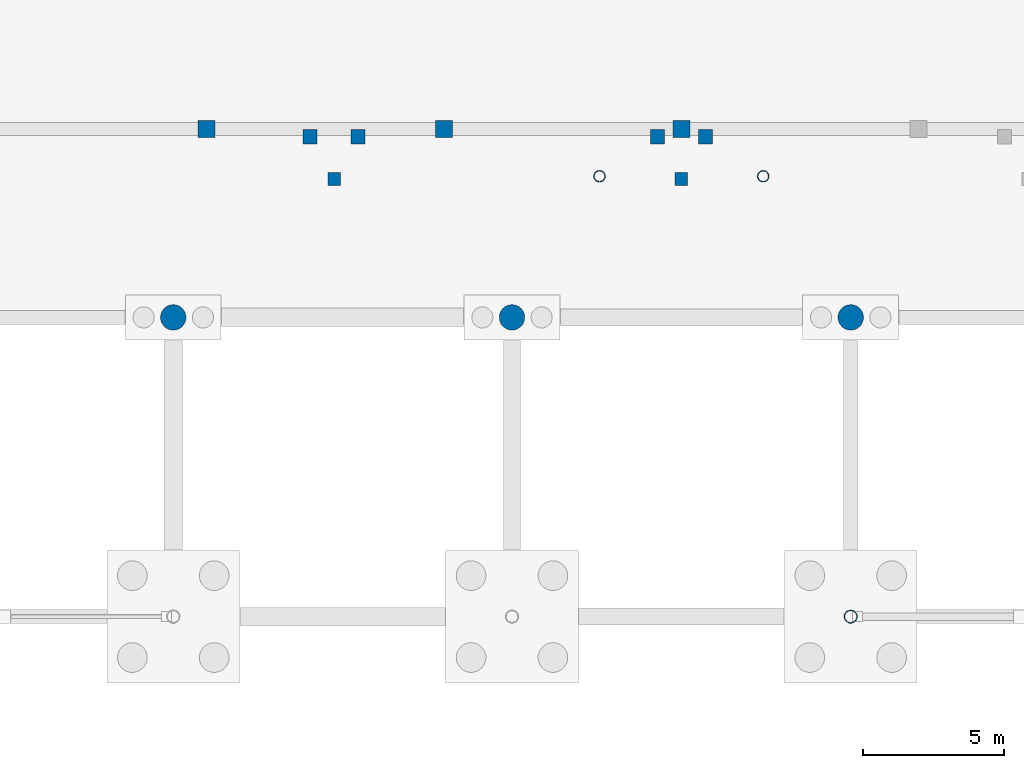
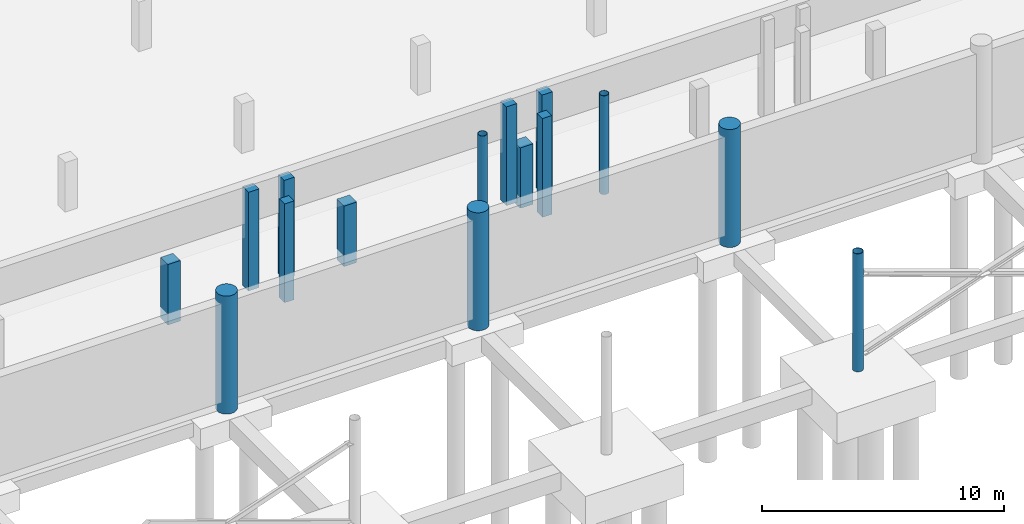
# One storey, part 10 of 42: 15 columns.
"""IFC4 building model written with IfcOpenShell, lengths in metres."""

from ifc_helpers import new_model, si_unit, direction, frame, origin, origin_2d, place, context, subcontext, project, spatial, rectangle, circle, hollow_circle, extrude, material, material_profile, profile_set, type_object, element, save


model = new_model("IFC4")

# Units and contexts
model_context = context("Model", 3, precision=1e-05, world=origin(), true_north=direction((0.0, 1.0)))
body_context = subcontext(model_context, "Body", "Model", "MODEL_VIEW")
ifc_project = project(units=[si_unit("LENGTHUNIT", "METRE"), si_unit("AREAUNIT", "SQUARE_METRE"), si_unit("VOLUMEUNIT", "CUBIC_METRE"), si_unit("PLANEANGLEUNIT", "RADIAN"), si_unit("MASSUNIT", "GRAM", prefix="KILO"), si_unit("THERMODYNAMICTEMPERATUREUNIT", "KELVIN"), si_unit("POWERUNIT", "WATT")], contexts=[model_context])

# Site, building, storey
site_placement = place(None, origin())
site = spatial("IfcSite", under=ifc_project, at=site_placement, CompositionType="ELEMENT")
building_placement = place(site_placement, origin())
building = spatial("IfcBuilding", under=site, at=building_placement, Name="Solmara Park Aquatics Centre", CompositionType="ELEMENT")
storey_placement = place(building_placement, frame((0.0, 0.0, -5.39990234375)))
storey = spatial("IfcBuildingStorey", under=building, at=storey_placement, Name="B1", CompositionType="ELEMENT", Elevation=-5.39990234375)

# Columns
ifc_material_1 = material(Name="Structural Steel S355", Category="steel")
ifc_material_profile_1 = material_profile(ifc_material_1, hollow_circle(Radius=0.203125, WallThickness=0.01611328125, at=origin_2d()), Name="CHS 406.4x16")
ifc_profile_set_1 = profile_set([ifc_material_profile_1], Name="Structural Steel S355")
column_type_1 = type_object("IfcColumnType", Name="STR-COL-CHS406", PredefinedType="COLUMN", material=ifc_profile_set_1)
for number, where, z_axis, x_axis, name in (
    (1, (51.699951171875, 28.199951171875, 0.0), (0.0, 0.0, 1.0), (1.0, 0.0, 0.0), "Upper Stand Front Column B1 S1-2"),
    (2, (57.5, 28.199951171875, 0.0), (0.0, 0.0, 1.0), (1.0, 0.0, 0.0), "Upper Stand Front Column B1 S2-1"),
):
    element("IfcColumn", number, at=place(storey_placement, frame(where, z_axis=z_axis, x_axis=x_axis)), inside=storey, type_object=column_type_1, Name=name, PredefinedType="COLUMN", context=body_context, shape_type="SweptSolid", body=[
        extrude(hollow_circle(Radius=0.203125, WallThickness=0.01611328125, at=origin_2d()), origin(), (0.0, 0.0, 1.0), 4.97998046875),
    ])
ifc_material_profile_2 = material_profile(ifc_material_1, hollow_circle(Radius=0.228515625, WallThickness=0.01611328125, at=origin_2d()), Name="CHS 457x16")
ifc_profile_set_2 = profile_set([ifc_material_profile_2], Name="Structural Steel S355")
column_type_2 = type_object("IfcColumnType", Name="STR-COL-CHS457", PredefinedType="COLUMN", material=ifc_profile_set_2)
column_placement = place(storey_placement, frame((60.60009765625, 12.60009765625, -0.550048828125), z_axis=(0.0, 0.0, 1.0), x_axis=(1.0, 0.0, 0.0)))
element("IfcColumn", 3, at=column_placement, inside=storey, type_object=column_type_2, Name="Column B1-0040", PredefinedType="COLUMN", context=body_context, shape_type="SweptSolid", body=[
    extrude(hollow_circle(Radius=0.228515625, WallThickness=0.01611328125, at=origin_2d()), origin(), (0.0, 0.0, 1.0), 5.949951171875),
])
ifc_material_2 = material(Name="Concrete C40/50", Category="concrete")
ifc_material_profile_3 = material_profile(ifc_material_2, rectangle(XDim=0.449951171875, YDim=0.449951171875, at=origin_2d()), Name="RC 450x450")
ifc_profile_set_3 = profile_set([ifc_material_profile_3], Name="Concrete C40/50")
column_type_3 = type_object("IfcColumnType", Name="STR-COL-RC450", PredefinedType="COLUMN", material=ifc_profile_set_3)
for number, where, z_axis, x_axis, name in (
    (4, (42.300048828125, 28.10009765625, 0.0), (0.0, 0.0, 1.0), (1.0, 0.0, 0.0), "Vomitory Stair VS-03 Support Column B1-3"),
    (5, (54.60009765625, 28.10009765625, 0.0), (0.0, 0.0, 1.0), (1.0, 0.0, 0.0), "Vomitory Stair VS-06 Support Column B1-3"),
):
    element("IfcColumn", number, at=place(storey_placement, frame(where, z_axis=z_axis, x_axis=x_axis)), inside=storey, type_object=column_type_3, Name=name, PredefinedType="COLUMN", context=body_context, shape_type="SweptSolid", body=[
        extrude(rectangle(XDim=0.449951171875, YDim=0.449951171875, at=origin_2d()), origin(), (0.0, 0.0, 1.0), 4.97998046875),
    ])
ifc_material_profile_4 = material_profile(ifc_material_2, rectangle(XDim=0.5, YDim=0.5, at=origin_2d()), Name="RC 500x500")
ifc_profile_set_4 = profile_set([ifc_material_profile_4], Name="Concrete C40/50")
column_type_4 = type_object("IfcColumnType", Name="STR-COL-RC500", PredefinedType="COLUMN", material=ifc_profile_set_4)
for number, where, z_axis, x_axis, name in (
    (6, (41.449951171875, 29.60009765625, 0.0), (0.0, 0.0, 1.0), (1.0, 0.0, 0.0), "Vomitory B1 Support Column 05"),
    (7, (43.14990234375, 29.60009765625, 0.0), (0.0, 0.0, 1.0), (1.0, 0.0, 0.0), "Vomitory B1 Support Column 06"),
    (8, (53.75, 29.60009765625, 0.0), (0.0, 0.0, 1.0), (1.0, 0.0, 0.0), "Vomitory B1 Support Column 11"),
    (9, (55.449951171875, 29.60009765625, 0.0), (0.0, 0.0, 1.0), (1.0, 0.0, 0.0), "Vomitory B1 Support Column 12"),
):
    element("IfcColumn", number, at=place(storey_placement, frame(where, z_axis=z_axis, x_axis=x_axis)), inside=storey, type_object=column_type_4, Name=name, PredefinedType="COLUMN", context=body_context, shape_type="SweptSolid", body=[
        extrude(rectangle(XDim=0.5, YDim=0.5, at=origin_2d()), origin(), (0.0, 0.0, 1.0), 4.97998046875),
    ])
ifc_material_profile_5 = material_profile(ifc_material_2, rectangle(XDim=0.60009765625, YDim=0.60009765625, at=origin_2d()), Name="RC 600x600")
ifc_profile_set_5 = profile_set([ifc_material_profile_5], Name="Concrete C40/50")
column_type_5 = type_object("IfcColumnType", Name="STR-COL-RC600", PredefinedType="COLUMN", material=ifc_profile_set_5)
for number, where, z_axis, x_axis, name in (
    (10, (37.783203125, 29.875, -0.550048828125), (0.0, 0.0, 1.0), (1.0, 0.0, 0.0), "Pool Tank Support Column 005"),
    (11, (46.191650390625, 29.875, -0.550048828125), (0.0, 0.0, 1.0), (1.0, 0.0, 0.0), "Pool Tank Support Column 009"),
    (12, (54.60009765625, 29.875, -0.550048828125), (0.0, 0.0, 1.0), (1.0, 0.0, 0.0), "Pool Tank Support Column 013"),
):
    element("IfcColumn", number, at=place(storey_placement, frame(where, z_axis=z_axis, x_axis=x_axis)), inside=storey, type_object=column_type_5, Name=name, PredefinedType="COLUMN", context=body_context, shape_type="SweptSolid", body=[
        extrude(rectangle(XDim=0.60009765625, YDim=0.60009765625, at=origin_2d()), origin(), (0.0, 0.0, 1.0), 3.050048828125),
    ])
ifc_material_profile_6 = material_profile(ifc_material_2, circle(Radius=0.449951171875, at=origin_2d()), Name="RC COL D900")
ifc_profile_set_6 = profile_set([ifc_material_profile_6], Name="Concrete C40/50")
column_type_6 = type_object("IfcColumnType", Name="STR-COL-RCD900", PredefinedType="COLUMN", material=ifc_profile_set_6)
for number, where, z_axis, x_axis, name in (
    (13, (36.60009765625, 23.199951171875, -0.550048828125), (0.0, 0.0, 1.0), (1.0, 0.0, 0.0), "Column B1-0021"),
    (14, (48.60009765625, 23.199951171875, -0.550048828125), (0.0, 0.0, 1.0), (1.0, 0.0, 0.0), "Column B1-0031"),
    (15, (60.60009765625, 23.199951171875, -0.550048828125), (0.0, 0.0, 1.0), (1.0, 0.0, 0.0), "Column B1-0041"),
):
    element("IfcColumn", number, at=place(storey_placement, frame(where, z_axis=z_axis, x_axis=x_axis)), inside=storey, type_object=column_type_6, Name=name, PredefinedType="COLUMN", context=body_context, shape_type="SweptSolid", body=[
        extrude(circle(Radius=0.449951171875, at=origin_2d()), origin(), (0.0, 0.0, 1.0), 5.949951171875),
    ])

save(model, "model.ifc")
